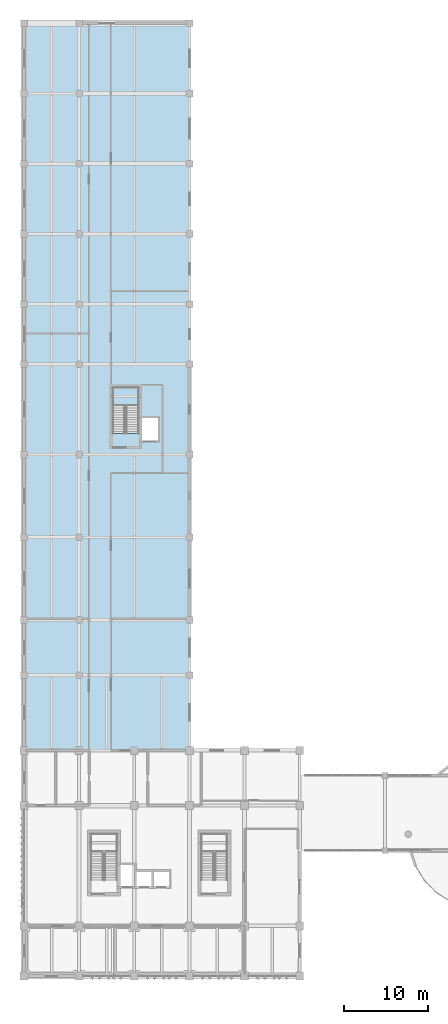
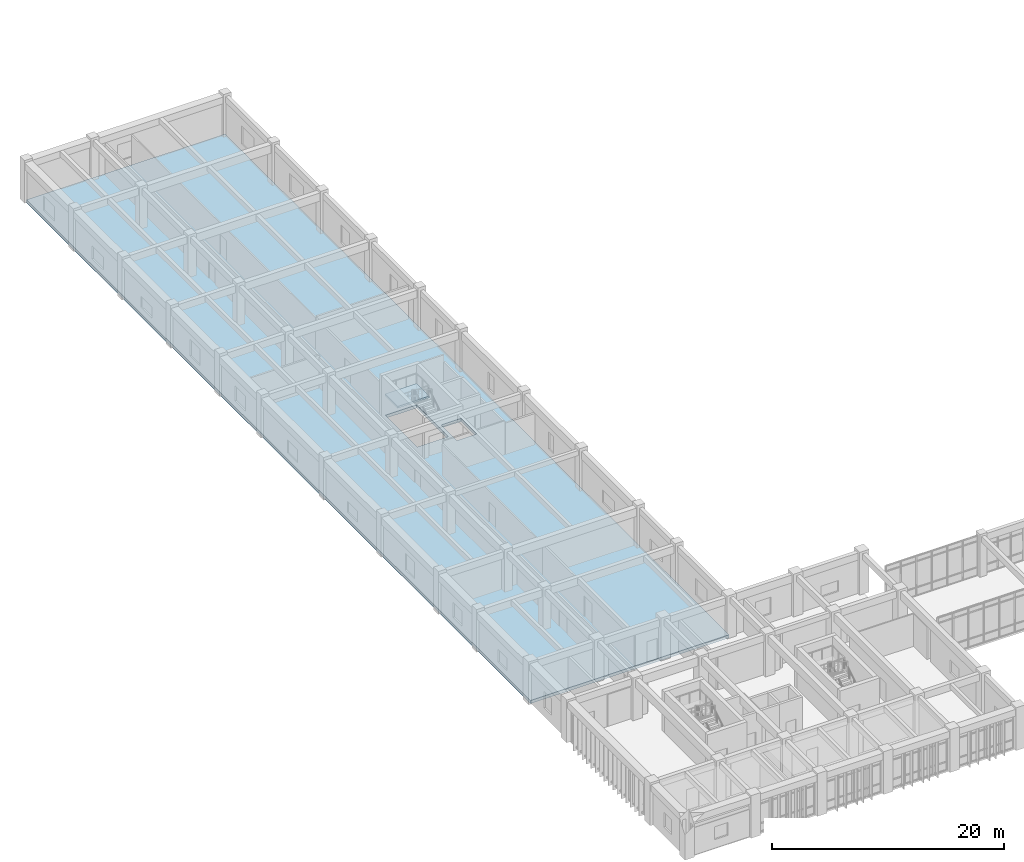
# One storey, part 39 of 57: 2 slabs, 1 element without a shape of its own.
"""IFC4 building model written with IfcOpenShell, lengths in metres."""

from ifc_helpers import new_model, si_unit, direction, frame, origin, place, context, subcontext, project, spatial, polyline, outline, extrude, material, layer, layer_set, type_object, element, aggregate, save


model = new_model("IFC4")

# Units and contexts
model_context = context("Model", 3, precision=1e-05, world=origin(), true_north=direction((0.0, 1.0)))
body_context = subcontext(model_context, "Body", "Model", "MODEL_VIEW")
ifc_project = project(units=[si_unit("LENGTHUNIT", "METRE"), si_unit("AREAUNIT", "SQUARE_METRE"), si_unit("VOLUMEUNIT", "CUBIC_METRE"), si_unit("PLANEANGLEUNIT", "RADIAN"), si_unit("MASSUNIT", "GRAM", prefix="KILO")], contexts=[model_context])

# Site, building, storey
site_placement = place(None, origin())
site = spatial("IfcSite", under=ifc_project, at=site_placement, CompositionType="ELEMENT")
building_placement = place(site_placement, origin())
building = spatial("IfcBuilding", under=site, at=building_placement, Name="Miralva Faculty of Natural Sciences", CompositionType="ELEMENT")
storey_placement = place(building_placement, frame((0.0, 0.0, 15.0)))
storey = spatial("IfcBuildingStorey", under=building, at=storey_placement, Name="L03", CompositionType="ELEMENT", Elevation=15.0)

# Slab
ifc_material = material(Name="Concrete C40/50", Category="concrete")
ifc_layer_1 = layer(ifc_material, 0.320068359375, Name="SL-FL01")
ifc_layer_set_1 = layer_set([ifc_layer_1], Name="Concrete C40/50")
slab_type_1 = type_object("IfcSlabType", Name="SL-FL01", PredefinedType="FLOOR", material=ifc_layer_set_1)
slab_1_placement = place(storey_placement, frame((0.0, 0.0, -0.320068359375)))
element("IfcSlab", 1, at=slab_1_placement, inside=storey, type_object=slab_type_1, Name="V4 L03 floor slab", PredefinedType="FLOOR", context=body_context, shape_type="SweptSolid", body=[
    extrude(outline(polyline([(22.800048828125, 30.0), (3.0, 30.0), (3.0, 117.0), (22.800048828125, 117.0), (22.800048828125, 30.0)]), holes=[polyline([(16.72509765625, 67.925048828125), (13.625, 67.925048828125), (13.625, 73.425048828125), (16.72509765625, 73.425048828125), (16.72509765625, 67.925048828125)]), polyline([(19.050048828125, 67.050048828125), (17.050048828125, 67.050048828125), (17.050048828125, 69.75), (19.050048828125, 69.75), (19.050048828125, 67.050048828125)])]), origin(), (0.0, 0.0, 1.0), 0.320068359375),
])

# Stair, slab
stair_type = type_object("IfcStairType", Name="ST-CORE-450", PredefinedType="HALF_TURN_STAIR", material=ifc_material)
stair_placement = place(storey_placement, origin())
stair = element("IfcStair", 2, at=stair_placement, inside=storey, type_object=stair_type, Name="Exit Stair Core C2 (ST-03) L03", PredefinedType="HALF_TURN_STAIR")
ifc_layer_2 = layer(ifc_material, 0.18994140625, Name="SL-LD01")
ifc_layer_set_2 = layer_set([ifc_layer_2], Name="Concrete C40/50")
slab_type_2 = type_object("IfcSlabType", Name="SL-LD01", PredefinedType="LANDING", material=ifc_layer_set_2)
slab_2_placement = place(storey_placement, frame((0.0, 0.0, 2.06005859375)))
slab_2 = element("IfcSlab", 3, at=slab_2_placement, type_object=slab_type_2, Name="ST-03 landing 1", PredefinedType="LANDING", context=body_context, shape_type="SweptSolid", body=[
    extrude(outline(polyline([(16.75, 71.260009765625), (16.75, 73.449951171875), (13.60009765625, 73.449951171875), (13.60009765625, 71.260009765625), (16.75, 71.260009765625)])), origin(), (0.0, 0.0, 1.0), 0.18994140625),
])
aggregate(stair, [slab_2])

save(model, "model.ifc")
